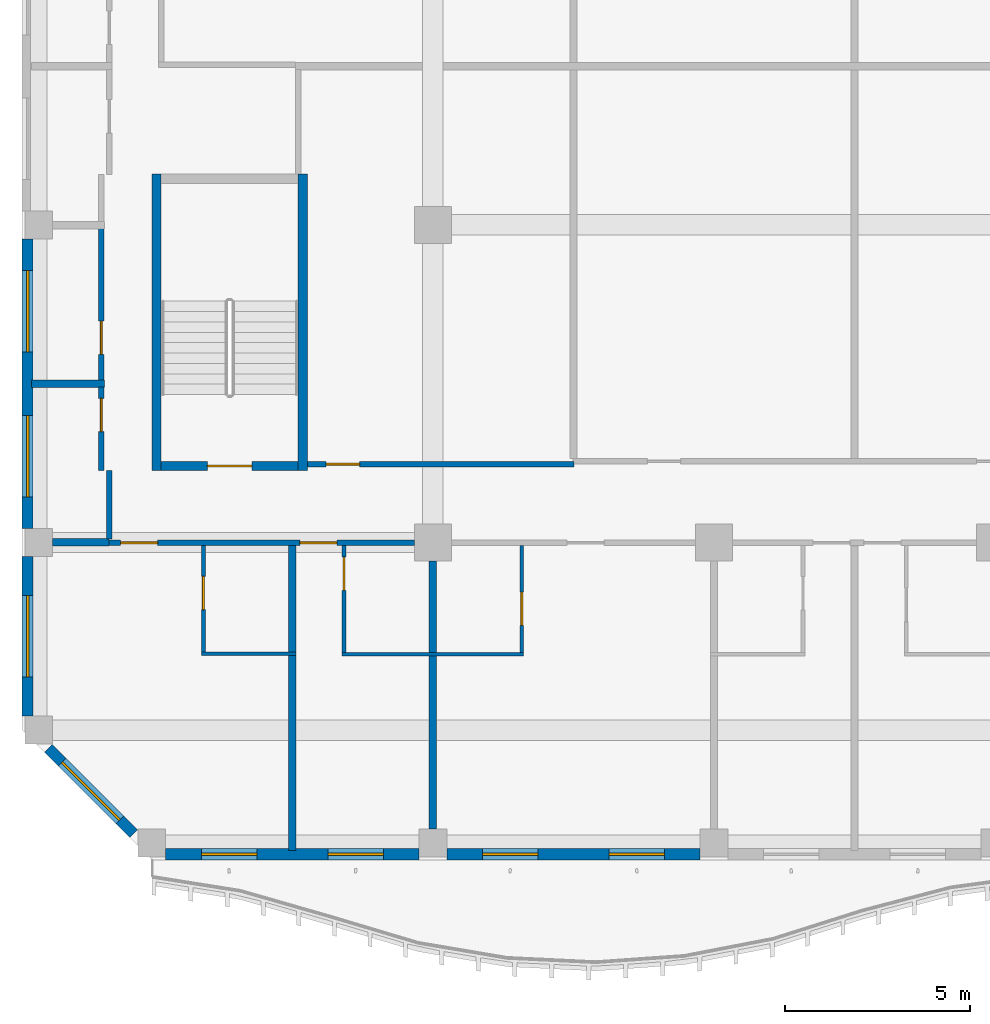
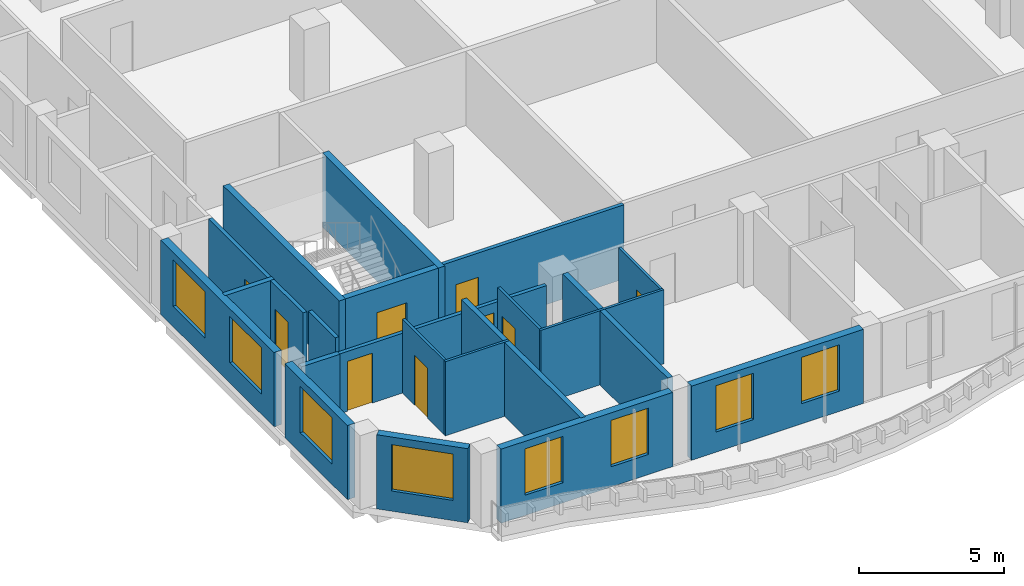
# One storey, part 2 of 21: 24 walls, 9 doors, 8 windows, 17 openings.
"""IFC4 building model written with IfcOpenShell, lengths in metres."""

import ifcopenshell
import ifcopenshell.guid

model = None  # the IFC model being written
_history = None  # IfcOwnerHistory: only IFC2X3 demands one
_inside = {}  # id of a spatial element -> (the spatial element, [elements in it])
_under = {}  # id of a project, library or spatial element -> (it, [spatial elements below it])
_declared = {}  # id of a project -> (the project, [libraries it declares])
_typed = {}  # id of a type object -> (the type object, [elements of that type])
_made_of = {}  # id of a material, layer set ... -> (it, [elements and type objects made of it])


def new_model(schema):
    """Start an empty IFC model of exactly this schema.

    Asked for "IFC4X3", IfcOpenShell would pick the latest addendum, in which some entities
    have other attributes; the version numbers below select the first issue.
    IFC2X3 requires an IfcOwnerHistory on every rooted entity: one is made here for all.
    """
    global model, _history
    if schema == "IFC4X3":
        model = ifcopenshell.file(schema_version=(4, 3, 0, 0))
    else:
        model = ifcopenshell.file(schema=schema)
    _inside.clear()
    _under.clear()
    _declared.clear()
    _typed.clear()
    _made_of.clear()
    _history = None
    if model.schema == "IFC2X3":
        org = make("IfcOrganization", Name="unknown")
        user = make(
            "IfcPersonAndOrganization",
            ThePerson=make("IfcPerson", FamilyName="unknown"),
            TheOrganization=org,
        )
        app = make(
            "IfcApplication",
            ApplicationDeveloper=org,
            Version="unknown",
            ApplicationFullName="unknown",
            ApplicationIdentifier="unknown",
        )
        _history = make(
            "IfcOwnerHistory",
            OwningUser=user,
            OwningApplication=app,
            ChangeAction="ADDED",
            CreationDate=0,
        )
    return model


def make(cls, **values):
    """One entity of the class cls with the attributes given. An attribute that is None is left unset."""
    return model.create_entity(
        cls, **{name: value for name, value in values.items() if value is not None}
    )


def rooted(cls, **values):
    """An entity with a GlobalId (a new one), such as an element, a storey or a relation."""
    return make(cls, GlobalId=ifcopenshell.guid.new(), OwnerHistory=_history, **values)


def si_unit(unit_type, name, prefix=None):
    """IfcSIUnit, for example si_unit("LENGTHUNIT", "METRE", prefix="MILLI")."""
    return make("IfcSIUnit", UnitType=unit_type, Prefix=prefix, Name=name)


def assignment(units):
    """IfcUnitAssignment: the units of a project."""
    return None if units is None else make("IfcUnitAssignment", Units=units)


def point(xyz):
    """IfcCartesianPoint."""
    return None if xyz is None else make("IfcCartesianPoint", Coordinates=xyz)


def direction(xyz):
    """IfcDirection."""
    return None if xyz is None else make("IfcDirection", DirectionRatios=xyz)


def frame(location, z_axis=None, x_axis=None):
    """IfcAxis2Placement3D, a coordinate frame: its origin and axes. An axis left out is left unset."""
    return make(
        "IfcAxis2Placement3D",
        Location=point(location),
        Axis=direction(z_axis),
        RefDirection=direction(x_axis),
    )


def frame_2d(location, x_axis=None):
    """IfcAxis2Placement2D, a coordinate frame in the plane: its origin and x axis."""
    return make(
        "IfcAxis2Placement2D", Location=point(location), RefDirection=direction(x_axis)
    )


def origin():
    """The frame at (0, 0, 0) with its axes left unset."""
    return frame((0.0, 0.0, 0.0))


def place(relative_to, where):
    """IfcLocalPlacement: puts the frame where relative to a parent placement (None: the world)."""
    return make(
        "IfcLocalPlacement", PlacementRelTo=relative_to, RelativePlacement=where
    )


def context(
    kind, dimensions, precision=None, world=None, true_north=None, identifier=None
):
    """IfcGeometricRepresentationContext, for example the 3D "Model" context."""
    return make(
        "IfcGeometricRepresentationContext",
        ContextIdentifier=identifier,
        ContextType=kind,
        CoordinateSpaceDimension=dimensions,
        Precision=precision,
        WorldCoordinateSystem=world,
        TrueNorth=true_north,
    )


def subcontext(parent, identifier, kind, view, scale=None):
    """IfcGeometricRepresentationSubContext, for example "Body" below "Model"."""
    return make(
        "IfcGeometricRepresentationSubContext",
        ContextIdentifier=identifier,
        ContextType=kind,
        ParentContext=parent,
        TargetScale=scale,
        TargetView=view,
    )


def project(units=None, contexts=None):
    """IfcProject with its units and contexts."""
    return rooted(
        "IfcProject",
        Name="project",
        RepresentationContexts=contexts,
        UnitsInContext=assignment(units),
    )


def spatial(cls, under=None, at=None, **own):
    """A site, building, storey or space (cls), placed at a placement, below another one or the project."""
    s = rooted(cls, ObjectPlacement=at, **own)
    if under is not None:
        _under.setdefault(under.id(), (under, []))[1].append(s)
    return s


def profile(cls, at=None, kind="AREA", **sizes):
    """A parametric profile (cls). Its sizes go by their IFC names, for example OverallWidth=200.0."""
    return make(cls, ProfileType=kind, Position=at, **sizes)


def rectangle(**sizes):
    """IfcRectangleProfileDef."""
    return profile("IfcRectangleProfileDef", **sizes)


def extrude(swept, where, along, depth):
    """IfcExtrudedAreaSolid: the profile swept, set in the frame where, extruded along a direction by depth."""
    return make(
        "IfcExtrudedAreaSolid",
        SweptArea=swept,
        Position=where,
        ExtrudedDirection=direction(along),
        Depth=depth,
    )


def shape(context_of_items, identifier, shape_type, items):
    """IfcShapeRepresentation: the items that make up one representation, for example the "Body"."""
    return make(
        "IfcShapeRepresentation",
        ContextOfItems=context_of_items,
        RepresentationIdentifier=identifier,
        RepresentationType=shape_type,
        Items=items,
    )


def source(mapping_origin, context_of_items, identifier, shape_type, items):
    """IfcRepresentationMap: a shape defined once, which mapped items show again and again."""
    return make(
        "IfcRepresentationMap",
        MappingOrigin=mapping_origin,
        MappedRepresentation=shape(context_of_items, identifier, shape_type, items),
    )


def transform(
    local_origin,
    x_axis=None,
    y_axis=None,
    z_axis=None,
    scale=None,
    scale2=None,
    scale3=None,
    uniform=True,
):
    """IfcCartesianTransformationOperator3D, or its non-uniform kind. x_axis, y_axis, z_axis: its Axis1, 2, 3."""
    if uniform:
        return make(
            "IfcCartesianTransformationOperator3D",
            Axis1=direction(x_axis),
            Axis2=direction(y_axis),
            LocalOrigin=point(local_origin),
            Scale=scale,
            Axis3=direction(z_axis),
        )
    return make(
        "IfcCartesianTransformationOperator3DnonUniform",
        Axis1=direction(x_axis),
        Axis2=direction(y_axis),
        LocalOrigin=point(local_origin),
        Scale=scale,
        Axis3=direction(z_axis),
        Scale2=scale2,
        Scale3=scale3,
    )


def mapped(mapping_source, mapping_target):
    """IfcMappedItem: shows the shape of a source again, moved by a transform."""
    return make(
        "IfcMappedItem", MappingSource=mapping_source, MappingTarget=mapping_target
    )


def material(Name=None, Category=None):
    """IfcMaterial."""
    return make("IfcMaterial", Name=Name, Category=Category)


def layer(
    of_material, thickness, ventilated=None, Name=None, Category=None, Priority=None
):
    """IfcMaterialLayer: one layer of a wall or slab, of a material (None: an air gap)."""
    return make(
        "IfcMaterialLayer",
        Material=of_material,
        LayerThickness=thickness,
        IsVentilated=ventilated,
        Name=Name,
        Category=Category,
        Priority=Priority,
    )


def layer_set(layers, Name=None):
    """IfcMaterialLayerSet."""
    return make("IfcMaterialLayerSet", MaterialLayers=layers, LayerSetName=Name)


def made_of(thing, what):
    """Note that an element or type object is made of a material, layer set ...; save() writes the relation."""
    if what is not None:
        _made_of.setdefault(what.id(), (what, []))[1].append(thing)
    return thing


def type_object(cls, material=None, **own):
    """A type object (cls), such as IfcWallType, which elements share."""
    return made_of(rooted(cls, **own), material)


def element(
    cls,
    number,
    at=None,
    inside=None,
    cuts=None,
    type_object=None,
    material=None,
    context=None,
    identifier="Body",
    shape_type=None,
    held_by="IfcProductDefinitionShape",
    body=None,
    shapes=None,
    **own,
):
    """One element of the class cls, such as IfcWall. Its Tag is "e" and its number.

    at: its placement. inside: the storey or other place that contains it. cuts: it is an
    opening in that element (IfcRelVoidsElement). A single representation is given by context,
    identifier, shape_type and body (its items); several are given by shapes. held_by: the class
    of the entity that holds the representations. save() writes the other relations.
    """
    e = rooted(cls, Tag="e%d" % number, ObjectPlacement=at, **own)
    if body is not None:
        shapes = [shape(context, identifier, shape_type, body)]
    if shapes is not None:
        e.Representation = make(held_by, Representations=shapes)
    if inside is not None:
        _inside.setdefault(inside.id(), (inside, []))[1].append(e)
    if cuts is not None:
        rooted(
            "IfcRelVoidsElement", RelatingBuildingElement=cuts, RelatedOpeningElement=e
        )
    if type_object is not None:
        _typed.setdefault(type_object.id(), (type_object, []))[1].append(e)
    return made_of(e, material)


def fill(opening, filler):
    """IfcRelFillsElement: the door or window that sits in an opening."""
    return rooted(
        "IfcRelFillsElement",
        RelatingOpeningElement=opening,
        RelatedBuildingElement=filler,
    )


def aggregate(whole, parts):
    """IfcRelAggregates: a whole, such as a stair, and the parts it consists of."""
    return rooted("IfcRelAggregates", RelatingObject=whole, RelatedObjects=parts)


def save(model, path):
    """Write the relations noted so far, then the file.

    IfcRelAggregates (storeys below a building ...), IfcRelContainedInSpatialStructure (elements
    in a storey), IfcRelDefinesByType, IfcRelAssociatesMaterial and IfcRelDeclares: one each for
    every whole, place, type object, material and project.
    """
    for whole, parts in _under.values():
        aggregate(whole, parts)
    for where, things in _inside.values():
        rooted(
            "IfcRelContainedInSpatialStructure",
            RelatedElements=things,
            RelatingStructure=where,
        )
    for kind, things in _typed.values():
        rooted("IfcRelDefinesByType", RelatedObjects=things, RelatingType=kind)
    for what, things in _made_of.values():
        rooted("IfcRelAssociatesMaterial", RelatedObjects=things, RelatingMaterial=what)
    for by, libraries in _declared.values():
        rooted("IfcRelDeclares", RelatingContext=by, RelatedDefinitions=libraries)
    model.write(path)


model = new_model("IFC4")

# Units and contexts
model_context = context("Model", 3, precision=1e-05, world=origin(), true_north=direction((0.0, 1.0)))
body_context = subcontext(model_context, "Body", "Model", "MODEL_VIEW")
ifc_project = project(units=[si_unit("LENGTHUNIT", "METRE"), si_unit("AREAUNIT", "SQUARE_METRE"), si_unit("VOLUMEUNIT", "CUBIC_METRE"), si_unit("PLANEANGLEUNIT", "RADIAN"), si_unit("MASSUNIT", "GRAM", prefix="KILO")], contexts=[model_context])

# Site, building, storey
site_placement = place(None, origin())
site = spatial("IfcSite", under=ifc_project, at=site_placement, CompositionType="ELEMENT")
building_placement = place(site_placement, origin())
building = spatial("IfcBuilding", under=site, at=building_placement, Name="Kilnfold Tower and Market Hall", CompositionType="ELEMENT")
storey_placement = place(building_placement, frame((0.0, 0.0, 210.10009765625)))
storey = spatial("IfcBuildingStorey", under=building, at=storey_placement, Name="L51", CompositionType="ELEMENT", Elevation=210.10009765625)

# Wall, openings, doors
ifc_material_1 = material(Name="Gypsum board on steel studs", Category="steel")
ifc_layer_1 = layer(ifc_material_1, 0.14990234375)
ifc_layer_set_1 = layer_set([ifc_layer_1], Name="Gypsum board on steel studs")
wall_type_1 = type_object("IfcWallType", Name="WALL CORRIDOR 150", PredefinedType="PARTITIONING", material=ifc_layer_set_1)
wall_1_placement = place(storey_placement, frame((-18.89990234375, -17.699951171875, 0.0), z_axis=(0.0, 0.0, 1.0), x_axis=(1.0, 0.0, 0.0)))
wall_1 = element("IfcWall", 1, at=wall_1_placement, inside=storey, type_object=wall_type_1, Name="Partition LY31.1", PredefinedType="PARTITIONING", context=body_context, shape_type="SweptSolid", body=[
    extrude(rectangle(XDim=8.23291015625, YDim=0.14990234375, at=frame_2d((4.116455078125, 0.0))), origin(), (0.0, 0.0, 1.0), 2.52001953125),
])
opening_1_placement = place(wall_1_placement, frame((0.304931640625, 0.0, 0.0)))
opening_1 = element("IfcOpeningElement", 2, at=opening_1_placement, cuts=wall_1, Name="Opening D1", PredefinedType="OPENING", context=body_context, shape_type="SweptSolid", body=[
    extrude(rectangle(XDim=1.0, YDim=2.10009765625, at=frame_2d((0.5, 1.050048828125))), frame((0.0, 0.0849609375, 0.0), z_axis=(0.0, -1.0, 0.0), x_axis=(1.0, 0.0, 0.0)), (0.0, 0.0, 1.0), 0.169921875),
])
opening_2_placement = place(wall_1_placement, frame((5.14306640625, 0.0, 0.0)))
opening_2 = element("IfcOpeningElement", 3, at=opening_2_placement, cuts=wall_1, Name="Opening D1", PredefinedType="OPENING", context=body_context, shape_type="SweptSolid", body=[
    extrude(rectangle(XDim=1.0, YDim=2.10009765625, at=frame_2d((0.5, 1.050048828125))), frame((0.0, 0.0849609375, 0.0), z_axis=(0.0, -1.0, 0.0), x_axis=(1.0, 0.0, 0.0)), (0.0, 0.0, 1.0), 0.169921875),
])
ifc_material_2 = material(Name="Timber veneer door leaf in steel frame", Category="steel")
door_type_1 = type_object("IfcDoorType", Name="DOOR ENTRY 1000 X2100", OperationType="NOTDEFINED", PredefinedType="DOOR", material=ifc_material_2)
door_1_placement = place(opening_1_placement, origin())
door_1 = element("IfcDoor", 4, at=door_1_placement, inside=storey, type_object=door_type_1, Name="Door D1", OperationType="SINGLE_SWING_RIGHT", OverallHeight=2.10009765625, OverallWidth=1.0, PredefinedType="DOOR", context=body_context, shape_type="SweptSolid", body=[
    extrude(rectangle(XDim=1.0, YDim=2.10009765625, at=frame_2d((0.5, 1.050048828125))), frame((0.0, 0.02490234375, 0.0), z_axis=(0.0, -1.0, 0.0), x_axis=(1.0, 0.0, 0.0)), (0.0, 0.0, 1.0), 0.050048828125),
])
fill(opening_1, door_1)
door_2_placement = place(opening_2_placement, origin())
door_2 = element("IfcDoor", 5, at=door_2_placement, inside=storey, type_object=door_type_1, Name="Door D1", OperationType="SINGLE_SWING_RIGHT", OverallHeight=2.10009765625, OverallWidth=1.0, PredefinedType="DOOR", context=body_context, shape_type="SweptSolid", body=[
    extrude(rectangle(XDim=1.0, YDim=2.10009765625, at=frame_2d((0.5, 1.050048828125))), frame((0.0, 0.02490234375, 0.0), z_axis=(0.0, -1.0, 0.0), x_axis=(1.0, 0.0, 0.0)), (0.0, 0.0, 1.0), 0.050048828125),
])
fill(opening_2, door_2)

# Wall
wall_2_placement = place(storey_placement, frame((-18.89990234375, -17.597900390625, 0.0), z_axis=(0.0, 0.0, 1.0), x_axis=(0.0, 1.0, 0.0)))
element("IfcWall", 6, at=wall_2_placement, inside=storey, type_object=wall_type_1, Name="Partition LY31.9", PredefinedType="PARTITIONING", context=body_context, shape_type="SweptSolid", body=[
    extrude(rectangle(XDim=1.85498046875, YDim=0.14990234375, at=frame_2d((0.927490234375, 0.0))), origin(), (0.0, 0.0, 1.0), 3.119873046875),
])

# Wall, opening, door
wall_3_placement = place(storey_placement, frame((-19.113037109375, -15.742919921875, 0.0), z_axis=(0.0, 0.0, 1.0), x_axis=(0.0, 1.0, 0.0)))
wall_3 = element("IfcWall", 7, at=wall_3_placement, inside=storey, type_object=wall_type_1, Name="Partition LY31.10", PredefinedType="PARTITIONING", context=body_context, shape_type="SweptSolid", body=[
    extrude(rectangle(XDim=2.246826171875, YDim=0.14990234375, at=frame_2d((1.12353515625, 0.0))), origin(), (0.0, 0.0, 1.0), 3.119873046875),
])
opening_3_placement = place(wall_3_placement, frame((1.0419921875, 0.0, 0.0)))
opening_3 = element("IfcOpeningElement", 8, at=opening_3_placement, cuts=wall_3, Name="Opening D2", PredefinedType="OPENING", context=body_context, shape_type="SweptSolid", body=[
    extrude(rectangle(XDim=0.89990234375, YDim=2.10009765625, at=frame_2d((0.449951171875, 1.050048828125))), frame((0.0, 0.0849609375, 0.0), z_axis=(0.0, -1.0, 0.0), x_axis=(1.0, 0.0, 0.0)), (0.0, 0.0, 1.0), 0.169921875),
])
ifc_material_3 = material(Name="Timber veneer door leaf in steel frame", Category="steel")
door_type_2 = type_object("IfcDoorType", Name="DOOR ROOM 900 X2100", OperationType="NOTDEFINED", PredefinedType="DOOR", material=ifc_material_3)
door_3_placement = place(opening_3_placement, origin())
door_3 = element("IfcDoor", 9, at=door_3_placement, inside=storey, type_object=door_type_2, Name="Door D2", OperationType="SINGLE_SWING_RIGHT", OverallHeight=2.10009765625, OverallWidth=0.89990234375, PredefinedType="DOOR", context=body_context, shape_type="SweptSolid", body=[
    extrude(rectangle(XDim=0.89990234375, YDim=2.10009765625, at=frame_2d((0.449951171875, 1.050048828125))), frame((0.0, 0.02490234375, 0.0), z_axis=(0.0, -1.0, 0.0), x_axis=(1.0, 0.0, 0.0)), (0.0, 0.0, 1.0), 0.050048828125),
])
fill(opening_3, door_3)

wall_4_placement = place(storey_placement, frame((-19.113037109375, -13.31591796875, 0.0), z_axis=(0.0, 0.0, 1.0), x_axis=(0.0, 1.0, 0.0)))
wall_4 = element("IfcWall", 10, at=wall_4_placement, inside=storey, type_object=wall_type_1, Name="Partition LY31.11", PredefinedType="PARTITIONING", context=body_context, shape_type="SweptSolid", body=[
    extrude(rectangle(XDim=4.100830078125, YDim=0.14990234375, at=frame_2d((2.05029296875, 0.0))), origin(), (0.0, 0.0, 1.0), 3.119873046875),
])
opening_4_placement = place(wall_4_placement, frame((0.699951171875, 0.0, 0.0)))
opening_4 = element("IfcOpeningElement", 11, at=opening_4_placement, cuts=wall_4, Name="Opening D2", PredefinedType="OPENING", context=body_context, shape_type="SweptSolid", body=[
    extrude(rectangle(XDim=0.89990234375, YDim=2.10009765625, at=frame_2d((0.449951171875, 1.050048828125))), frame((0.0, 0.0849609375, 0.0), z_axis=(0.0, -1.0, 0.0), x_axis=(1.0, 0.0, 0.0)), (0.0, 0.0, 1.0), 0.169921875),
])
door_4_placement = place(opening_4_placement, origin())
door_4 = element("IfcDoor", 12, at=door_4_placement, inside=storey, type_object=door_type_2, Name="Door D2", OperationType="SINGLE_SWING_RIGHT", OverallHeight=2.10009765625, OverallWidth=0.89990234375, PredefinedType="DOOR", context=body_context, shape_type="SweptSolid", body=[
    extrude(rectangle(XDim=0.89990234375, YDim=2.10009765625, at=frame_2d((0.449951171875, 1.050048828125))), frame((0.0, 0.02490234375, 0.0), z_axis=(0.0, -1.0, 0.0), x_axis=(1.0, 0.0, 0.0)), (0.0, 0.0, 1.0), 0.050048828125),
])
fill(opening_4, door_4)

wall_5_placement = place(storey_placement, frame((-6.364990234375, -15.574951171875, 0.0), z_axis=(0.0, 0.0, 1.0), x_axis=(-1.0, 0.0, 0.0)))
wall_5 = element("IfcWall", 13, at=wall_5_placement, inside=storey, type_object=wall_type_1, Name="Partition LY31.39", PredefinedType="PARTITIONING", context=body_context, shape_type="SweptSolid", body=[
    extrude(rectangle(XDim=7.18505859375, YDim=0.14990234375, at=frame_2d((3.592529296875, 0.0))), origin(), (0.0, 0.0, 1.0), 3.119873046875),
])
opening_5_placement = place(wall_5_placement, frame((5.781005859375, 0.0, 0.0)))
opening_5 = element("IfcOpeningElement", 14, at=opening_5_placement, cuts=wall_5, Name="Opening D2", PredefinedType="OPENING", context=body_context, shape_type="SweptSolid", body=[
    extrude(rectangle(XDim=0.89990234375, YDim=2.10009765625, at=frame_2d((0.449951171875, 1.050048828125))), frame((0.0, 0.0849609375, 0.0), z_axis=(0.0, -1.0, 0.0), x_axis=(1.0, 0.0, 0.0)), (0.0, 0.0, 1.0), 0.169921875),
])
door_5_placement = place(opening_5_placement, origin())
door_5 = element("IfcDoor", 15, at=door_5_placement, inside=storey, type_object=door_type_2, Name="Door D2", OperationType="SINGLE_SWING_RIGHT", OverallHeight=2.10009765625, OverallWidth=0.89990234375, PredefinedType="DOOR", context=body_context, shape_type="SweptSolid", body=[
    extrude(rectangle(XDim=0.89990234375, YDim=2.10009765625, at=frame_2d((0.449951171875, 1.050048828125))), frame((0.0, 0.02490234375, 0.0), z_axis=(0.0, -1.0, 0.0), x_axis=(1.0, 0.0, 0.0)), (0.0, 0.0, 1.0), 0.050048828125),
])
fill(opening_5, door_5)

ifc_material_4 = material(Name="Gypsum board on steel studs", Category="steel")
ifc_layer_2 = layer(ifc_material_4, 0.10009765625)
ifc_layer_set_2 = layer_set([ifc_layer_2], Name="Gypsum board on steel studs")
wall_type_2 = type_object("IfcWallType", Name="WALL PARTITION 100", PredefinedType="PARTITIONING", material=ifc_layer_set_2)
wall_6_placement = place(storey_placement, frame((-16.35888671875, -20.637939453125, 0.0), z_axis=(0.0, 0.0, 1.0), x_axis=(0.0, 1.0, 0.0)))
wall_6 = element("IfcWall", 16, at=wall_6_placement, inside=storey, type_object=wall_type_2, Name="Partition LY31.42", PredefinedType="PARTITIONING", context=body_context, shape_type="SweptSolid", body=[
    extrude(rectangle(XDim=2.86083984375, YDim=0.10009765625, at=frame_2d((1.430419921875, 0.0))), origin(), (0.0, 0.0, 1.0), 3.119873046875),
])
opening_6_placement = place(wall_6_placement, frame((1.136962890625, 0.0, 0.0)))
opening_6 = element("IfcOpeningElement", 17, at=opening_6_placement, cuts=wall_6, Name="Opening D3", PredefinedType="OPENING", context=body_context, shape_type="SweptSolid", body=[
    extrude(rectangle(XDim=0.89990234375, YDim=2.10009765625, at=frame_2d((0.449951171875, 1.050048828125))), frame((0.0, 0.06005859375, 0.0), z_axis=(0.0, -1.0, 0.0), x_axis=(1.0, 0.0, 0.0)), (0.0, 0.0, 1.0), 0.1201171875),
])
ifc_material_5 = material(Name="Timber veneer door leaf in steel frame", Category="steel")
door_type_3 = type_object("IfcDoorType", Name="DOOR WC 900 X2100", OperationType="NOTDEFINED", PredefinedType="DOOR", material=ifc_material_5)
door_6_placement = place(opening_6_placement, origin())
door_6 = element("IfcDoor", 18, at=door_6_placement, inside=storey, type_object=door_type_3, Name="Door D3", OperationType="SINGLE_SWING_RIGHT", OverallHeight=2.10009765625, OverallWidth=0.89990234375, PredefinedType="DOOR", context=body_context, shape_type="SweptSolid", body=[
    extrude(rectangle(XDim=0.89990234375, YDim=2.10009765625, at=frame_2d((0.449951171875, 1.050048828125))), frame((0.0, 0.02490234375, 0.0), z_axis=(0.0, -1.0, 0.0), x_axis=(1.0, 0.0, 0.0)), (0.0, 0.0, 1.0), 0.050048828125),
])
fill(opening_6, door_6)

# Wall
wall_7_placement = place(storey_placement, frame((-16.408935546875, -20.68798828125, 0.0), z_axis=(0.0, 0.0, 1.0), x_axis=(1.0, 0.0, 0.0)))
element("IfcWall", 19, at=wall_7_placement, inside=storey, type_object=wall_type_2, Name="Partition LY31.43", PredefinedType="PARTITIONING", context=body_context, shape_type="SweptSolid", body=[
    extrude(rectangle(XDim=2.550048828125, YDim=0.10009765625, at=frame_2d((1.27490234375, 0.0))), origin(), (0.0, 0.0, 1.0), 3.119873046875),
])

# Wall, opening, door
wall_8_placement = place(storey_placement, frame((-12.56689453125, -20.652099609375, 0.0), z_axis=(0.0, 0.0, 1.0), x_axis=(0.0, 1.0, 0.0)))
wall_8 = element("IfcWall", 20, at=wall_8_placement, inside=storey, type_object=wall_type_2, Name="Partition LY31.47", PredefinedType="PARTITIONING", context=body_context, shape_type="SweptSolid", body=[
    extrude(rectangle(XDim=2.875, YDim=0.10009765625, at=frame_2d((1.4375, 0.0))), origin(), (0.0, 0.0, 1.0), 3.119873046875),
])
opening_7_placement = place(wall_8_placement, frame((1.669921875, 0.0, 0.0)))
opening_7 = element("IfcOpeningElement", 21, at=opening_7_placement, cuts=wall_8, Name="Opening D3", PredefinedType="OPENING", context=body_context, shape_type="SweptSolid", body=[
    extrude(rectangle(XDim=0.89990234375, YDim=2.10009765625, at=frame_2d((0.449951171875, 1.050048828125))), frame((0.0, 0.06005859375, 0.0), z_axis=(0.0, -1.0, 0.0), x_axis=(1.0, 0.0, 0.0)), (0.0, 0.0, 1.0), 0.1201171875),
])
door_7_placement = place(opening_7_placement, origin())
door_7 = element("IfcDoor", 22, at=door_7_placement, inside=storey, type_object=door_type_3, Name="Door D3", OperationType="SINGLE_SWING_LEFT", OverallHeight=2.10009765625, OverallWidth=0.89990234375, PredefinedType="DOOR", context=body_context, shape_type="SweptSolid", body=[
    extrude(rectangle(XDim=0.89990234375, YDim=2.10009765625, at=frame_2d((0.449951171875, 1.050048828125))), frame((0.0, 0.02490234375, 0.0), z_axis=(0.0, -1.0, 0.0), x_axis=(1.0, 0.0, 0.0)), (0.0, 0.0, 1.0), 0.050048828125),
])
fill(opening_7, door_7)

# Wall
wall_9_placement = place(storey_placement, frame((-12.616943359375, -20.701904296875, 0.0), z_axis=(0.0, 0.0, 1.0), x_axis=(1.0, 0.0, 0.0)))
element("IfcWall", 23, at=wall_9_placement, inside=storey, type_object=wall_type_2, Name="Partition LY31.48", PredefinedType="PARTITIONING", context=body_context, shape_type="SweptSolid", body=[
    extrude(rectangle(XDim=4.89990234375, YDim=0.10009765625, at=frame_2d((2.449951171875, 0.0))), origin(), (0.0, 0.0, 1.0), 3.119873046875),
])

# Wall, opening, door
wall_10_placement = place(storey_placement, frame((-7.76708984375, -17.777099609375, 0.0), z_axis=(0.0, 0.0, 1.0), x_axis=(0.0, -1.0, 0.0)))
wall_10 = element("IfcWall", 24, at=wall_10_placement, inside=storey, type_object=wall_type_2, Name="Partition LY31.51", PredefinedType="PARTITIONING", context=body_context, shape_type="SweptSolid", body=[
    extrude(rectangle(XDim=2.875, YDim=0.10009765625, at=frame_2d((1.4375, 0.0))), origin(), (0.0, 0.0, 1.0), 3.119873046875),
])
opening_8_placement = place(wall_10_placement, frame((1.25, 0.0, 0.0)))
opening_8 = element("IfcOpeningElement", 25, at=opening_8_placement, cuts=wall_10, Name="Opening D3", PredefinedType="OPENING", context=body_context, shape_type="SweptSolid", body=[
    extrude(rectangle(XDim=0.89990234375, YDim=2.10009765625, at=frame_2d((0.449951171875, 1.050048828125))), frame((0.0, 0.06005859375, 0.0), z_axis=(0.0, -1.0, 0.0), x_axis=(1.0, 0.0, 0.0)), (0.0, 0.0, 1.0), 0.1201171875),
])
door_8_placement = place(opening_8_placement, origin())
door_8 = element("IfcDoor", 26, at=door_8_placement, inside=storey, type_object=door_type_3, Name="Door D3", OperationType="SINGLE_SWING_LEFT", OverallHeight=2.10009765625, OverallWidth=0.89990234375, PredefinedType="DOOR", context=body_context, shape_type="SweptSolid", body=[
    extrude(rectangle(XDim=0.89990234375, YDim=2.10009765625, at=frame_2d((0.449951171875, 1.050048828125))), frame((0.0, 0.02490234375, 0.0), z_axis=(0.0, -1.0, 0.0), x_axis=(1.0, 0.0, 0.0)), (0.0, 0.0, 1.0), 0.050048828125),
])
fill(opening_8, door_8)

# Walls
ifc_material_6 = material(Name="Gypsum board on steel studs", Category="steel")
ifc_layer_3 = layer(ifc_material_6, 0.199951171875)
ifc_layer_set_3 = layer_set([ifc_layer_3], Name="Gypsum board on steel studs")
wall_type_3 = type_object("IfcWallType", Name="WALL PARTY 200", PredefinedType="PARTITIONING", material=ifc_layer_set_3)
wall_11_placement = place(storey_placement, frame((-13.958984375, -26.0, 0.0), z_axis=(0.0, 0.0, 1.0), x_axis=(0.0, 1.0, 0.0)))
element("IfcWall", 27, at=wall_11_placement, inside=storey, type_object=wall_type_3, Name="Partition LY31.44", PredefinedType="PARTITIONING", context=body_context, shape_type="SweptSolid", body=[
    extrude(rectangle(XDim=5.261962890625, YDim=0.199951171875, at=frame_2d((2.630859375, 0.0))), origin(), (0.0, 0.0, 1.0), 3.119873046875),
])
wall_12_placement = place(storey_placement, frame((-20.425048828125, -17.68798828125, 0.0), z_axis=(0.0, 0.0, 1.0), x_axis=(1.0, 0.0, 0.0)))
element("IfcWall", 28, at=wall_12_placement, inside=storey, type_object=wall_type_3, Name="Partition LY31.45", PredefinedType="PARTITIONING", context=body_context, shape_type="SweptSolid", body=[
    extrude(rectangle(XDim=1.52294921875, YDim=0.199951171875, at=frame_2d((0.761474609375, 0.0))), origin(), (0.0, 0.0, 1.0), 2.52001953125),
])
wall_13_placement = place(storey_placement, frame((-13.958984375, -20.637939453125, 0.0), z_axis=(0.0, 0.0, 1.0), x_axis=(0.0, 1.0, 0.0)))
element("IfcWall", 29, at=wall_13_placement, inside=storey, type_object=wall_type_3, Name="Partition LY31.46", PredefinedType="PARTITIONING", context=body_context, shape_type="SweptSolid", body=[
    extrude(rectangle(XDim=2.86083984375, YDim=0.199951171875, at=frame_2d((1.430419921875, 0.0))), origin(), (0.0, 0.0, 1.0), 3.119873046875),
])
wall_14_placement = place(storey_placement, frame((-10.1669921875, -25.425048828125, 0.0), z_axis=(0.0, 0.0, 1.0), x_axis=(0.0, 1.0, 0.0)))
element("IfcWall", 30, at=wall_14_placement, inside=storey, type_object=wall_type_3, Name="Partition LY31.49", PredefinedType="PARTITIONING", context=body_context, shape_type="SweptSolid", body=[
    extrude(rectangle(XDim=4.673095703125, YDim=0.199951171875, at=frame_2d((2.33642578125, 0.0))), origin(), (0.0, 0.0, 1.0), 3.119873046875),
])
wall_15_placement = place(storey_placement, frame((-10.1669921875, -20.652099609375, 0.0), z_axis=(0.0, 0.0, 1.0), x_axis=(0.0, 1.0, 0.0)))
element("IfcWall", 31, at=wall_15_placement, inside=storey, type_object=wall_type_3, Name="Partition LY31.50", PredefinedType="PARTITIONING", context=body_context, shape_type="SweptSolid", body=[
    extrude(rectangle(XDim=2.464111328125, YDim=0.199951171875, at=frame_2d((1.23193359375, 0.0))), origin(), (0.0, 0.0, 1.0), 3.119873046875),
])
wall_16_placement = place(storey_placement, frame((-19.027099609375, -13.406005859375, 0.0), z_axis=(0.0, 0.0, 1.0), x_axis=(-1.0, 0.0, 0.0)))
element("IfcWall", 32, at=wall_16_placement, inside=storey, type_object=wall_type_3, Name="Partition LY31.79", PredefinedType="PARTITIONING", context=body_context, shape_type="SweptSolid", body=[
    extrude(rectangle(XDim=1.972900390625, YDim=0.199951171875, at=frame_2d((0.986328125, 0.0))), origin(), (0.0, 0.0, 1.0), 3.119873046875),
])

# Wall, opening, door
ifc_material_7 = material(Name="Concrete C60", Category="concrete")
ifc_layer_4 = layer(ifc_material_7, 0.25)
ifc_layer_set_4 = layer_set([ifc_layer_4], Name="Concrete C60")
wall_type_4 = type_object("IfcWallType", Name="CORE WALL 250 C60", PredefinedType="SHEAR", material=ifc_layer_set_4)
shared_shape_1 = source(origin(), body_context, "Body", "SweptSolid", [
    extrude(rectangle(XDim=3.699951171875, YDim=0.25, at=frame_2d((1.85009765625, 0.0))), origin(), (0.0, 0.0, 1.0), 3.119873046875),
])
wall_17_placement = place(storey_placement, frame((-17.5, -15.625, 0.0), z_axis=(0.0, 0.0, 1.0), x_axis=(1.0, 0.0, 0.0)))
wall_17 = element("IfcWall", 33, at=wall_17_placement, inside=storey, type_object=wall_type_4, Name="Stair enclosure ST3", PredefinedType="SHEAR", context=body_context, shape_type="MappedRepresentation", body=[
    mapped(shared_shape_1, transform((0.0, 0.0, 0.0))),
])
opening_9_placement = place(wall_17_placement, frame((1.25, 0.0, 0.0)))
opening_9 = element("IfcOpeningElement", 34, at=opening_9_placement, cuts=wall_17, Name="Opening SD1", PredefinedType="OPENING", context=body_context, shape_type="SweptSolid", body=[
    extrude(rectangle(XDim=1.199951171875, YDim=2.10009765625, at=frame_2d((0.60009765625, 1.050048828125))), frame((0.0, 0.135009765625, 0.0), z_axis=(0.0, -1.0, 0.0), x_axis=(1.0, 0.0, 0.0)), (0.0, 0.0, 1.0), 0.27001953125),
])
ifc_material_8 = material(Name="Steel door set with fire-resisting leaf", Category="steel")
door_type_4 = type_object("IfcDoorType", Name="STAIR FLOOR DOOR 1200X2100", OperationType="NOTDEFINED", PredefinedType="DOOR", material=ifc_material_8)
door_9_placement = place(opening_9_placement, origin())
door_9 = element("IfcDoor", 35, at=door_9_placement, inside=storey, type_object=door_type_4, Name="Exit stair ST3 door", OperationType="DOUBLE_DOOR_SINGLE_SWING", OverallHeight=2.10009765625, OverallWidth=1.199951171875, PredefinedType="DOOR", context=body_context, shape_type="SweptSolid", body=[
    extrude(rectangle(XDim=1.199951171875, YDim=2.10009765625, at=frame_2d((0.60009765625, 1.050048828125))), frame((0.0, 0.02490234375, 0.0), z_axis=(0.0, -1.0, 0.0), x_axis=(1.0, 0.0, 0.0)), (0.0, 0.0, 1.0), 0.050048828125),
])
fill(opening_9, door_9)

# Walls
shared_shape_2 = source(origin(), body_context, "Body", "SweptSolid", [
    extrude(rectangle(XDim=8.0, YDim=0.25, at=frame_2d((4.0, 0.0))), origin(), (0.0, 0.0, 1.0), 3.119873046875),
])
for number, where, z_axis, x_axis, name in (
    (36, (-17.625, -15.75, 0.0), (0.0, 0.0, 1.0), (0.0, 1.0, 0.0), "Stair enclosure ST3"),
    (37, (-13.675048828125, -15.75, 0.0), (0.0, 0.0, 1.0), (0.0, 1.0, 0.0), "Stair enclosure ST3"),
):
    element("IfcWall", number, at=place(storey_placement, frame(where, z_axis=z_axis, x_axis=x_axis)), inside=storey, type_object=wall_type_4, Name=name, PredefinedType="SHEAR", context=body_context, shape_type="MappedRepresentation", body=[
        mapped(shared_shape_2, transform((0.0, 0.0, 0.0))),
    ])

# Wall, openings, windows
ifc_material_9 = material(Name="Precast concrete C50/60", Category="concrete")
ifc_layer_5 = layer(ifc_material_9, 0.300048828125)
ifc_layer_set_5 = layer_set([ifc_layer_5], Name="Precast concrete C50/60")
wall_type_5 = type_object("IfcWallType", Name="PRECAST WALL 300", PredefinedType="SOLIDWALL", material=ifc_layer_set_5)
shared_shape_3 = source(origin(), body_context, "Body", "SweptSolid", [
    extrude(rectangle(XDim=6.833251953125, YDim=0.300048828125, at=frame_2d((3.41650390625, 0.0))), origin(), (0.0, 0.0, 1.0), 3.119873046875),
])
wall_18_placement = place(storey_placement, frame((-17.375, -26.10009765625, 0.0), z_axis=(0.0, 0.0, 1.0), x_axis=(1.0, 0.0, 0.0)))
wall_18 = element("IfcWall", 38, at=wall_18_placement, inside=storey, type_object=wall_type_5, Name="External wall L51 S", PredefinedType="SOLIDWALL", context=body_context, shape_type="MappedRepresentation", body=[
    mapped(shared_shape_3, transform((0.0, 0.0, 0.0))),
])
opening_10_placement = place(wall_18_placement, frame((0.95849609375, 0.0, 0.85009765625)))
opening_10 = element("IfcOpeningElement", 39, at=opening_10_placement, cuts=wall_18, Name="Opening W4", PredefinedType="OPENING", context=body_context, shape_type="SweptSolid", body=[
    extrude(rectangle(XDim=1.5, YDim=1.949951171875, at=frame_2d((0.75, 0.97509765625))), frame((0.0, 0.16015625, 0.0), z_axis=(0.0, -1.0, 0.0), x_axis=(1.0, 0.0, 0.0)), (0.0, 0.0, 1.0), 0.320068359375),
])
opening_11_placement = place(wall_18_placement, frame((4.375, 0.0, 0.85009765625)))
opening_11 = element("IfcOpeningElement", 40, at=opening_11_placement, cuts=wall_18, Name="Opening W4", PredefinedType="OPENING", context=body_context, shape_type="SweptSolid", body=[
    extrude(rectangle(XDim=1.5, YDim=1.949951171875, at=frame_2d((0.75, 0.97509765625))), frame((0.0, 0.16015625, 0.0), z_axis=(0.0, -1.0, 0.0), x_axis=(1.0, 0.0, 0.0)), (0.0, 0.0, 1.0), 0.320068359375),
])
ifc_material_10 = material(Name="Aluminium frame and double glazing", Category="aluminium")
window_type_1 = type_object("IfcWindowType", Name="WINDOW W4 1500X1950", PartitioningType="SINGLE_PANEL", PredefinedType="WINDOW", material=ifc_material_10)
window_1_placement = place(opening_10_placement, origin())
window_1 = element("IfcWindow", 41, at=window_1_placement, inside=storey, type_object=window_type_1, Name="Window W4 L51 S-1", OverallHeight=1.949951171875, OverallWidth=1.5, PartitioningType="SINGLE_PANEL", PredefinedType="WINDOW", context=body_context, shape_type="SweptSolid", body=[
    extrude(rectangle(XDim=1.5, YDim=1.949951171875, at=frame_2d((0.75, 0.97509765625))), frame((0.0, 0.030029296875, 0.0), z_axis=(0.0, -1.0, 0.0), x_axis=(1.0, 0.0, 0.0)), (0.0, 0.0, 1.0), 0.06005859375),
])
fill(opening_10, window_1)
window_2_placement = place(opening_11_placement, origin())
window_2 = element("IfcWindow", 42, at=window_2_placement, inside=storey, type_object=window_type_1, Name="Window W4 L51 S-2", OverallHeight=1.949951171875, OverallWidth=1.5, PartitioningType="SINGLE_PANEL", PredefinedType="WINDOW", context=body_context, shape_type="SweptSolid", body=[
    extrude(rectangle(XDim=1.5, YDim=1.949951171875, at=frame_2d((0.75, 0.97509765625))), frame((0.0, 0.030029296875, 0.0), z_axis=(0.0, -1.0, 0.0), x_axis=(1.0, 0.0, 0.0)), (0.0, 0.0, 1.0), 0.06005859375),
])
fill(opening_11, window_2)

shared_shape_4 = source(origin(), body_context, "Body", "SweptSolid", [
    extrude(rectangle(XDim=6.83349609375, YDim=0.300048828125, at=frame_2d((3.416748046875, 0.0))), origin(), (0.0, 0.0, 1.0), 3.119873046875),
])
wall_19_placement = place(storey_placement, frame((-9.791748046875, -26.10009765625, 0.0), z_axis=(0.0, 0.0, 1.0), x_axis=(1.0, 0.0, 0.0)))
wall_19 = element("IfcWall", 43, at=wall_19_placement, inside=storey, type_object=wall_type_5, Name="External wall L51 S", PredefinedType="SOLIDWALL", context=body_context, shape_type="MappedRepresentation", body=[
    mapped(shared_shape_4, transform((0.0, 0.0, 0.0))),
])
opening_12_placement = place(wall_19_placement, frame((0.958251953125, 0.0, 0.85009765625)))
opening_12 = element("IfcOpeningElement", 44, at=opening_12_placement, cuts=wall_19, Name="Opening W4", PredefinedType="OPENING", context=body_context, shape_type="SweptSolid", body=[
    extrude(rectangle(XDim=1.5, YDim=1.949951171875, at=frame_2d((0.75, 0.97509765625))), frame((0.0, 0.16015625, 0.0), z_axis=(0.0, -1.0, 0.0), x_axis=(1.0, 0.0, 0.0)), (0.0, 0.0, 1.0), 0.320068359375),
])
opening_13_placement = place(wall_19_placement, frame((4.375, 0.0, 0.85009765625)))
opening_13 = element("IfcOpeningElement", 45, at=opening_13_placement, cuts=wall_19, Name="Opening W4", PredefinedType="OPENING", context=body_context, shape_type="SweptSolid", body=[
    extrude(rectangle(XDim=1.5, YDim=1.949951171875, at=frame_2d((0.75, 0.97509765625))), frame((0.0, 0.16015625, 0.0), z_axis=(0.0, -1.0, 0.0), x_axis=(1.0, 0.0, 0.0)), (0.0, 0.0, 1.0), 0.320068359375),
])
window_3_placement = place(opening_12_placement, origin())
window_3 = element("IfcWindow", 46, at=window_3_placement, inside=storey, type_object=window_type_1, Name="Window W4 L51 S-1", OverallHeight=1.949951171875, OverallWidth=1.5, PartitioningType="SINGLE_PANEL", PredefinedType="WINDOW", context=body_context, shape_type="SweptSolid", body=[
    extrude(rectangle(XDim=1.5, YDim=1.949951171875, at=frame_2d((0.75, 0.97509765625))), frame((0.0, 0.030029296875, 0.0), z_axis=(0.0, -1.0, 0.0), x_axis=(1.0, 0.0, 0.0)), (0.0, 0.0, 1.0), 0.06005859375),
])
fill(opening_12, window_3)
window_4_placement = place(opening_13_placement, origin())
window_4 = element("IfcWindow", 47, at=window_4_placement, inside=storey, type_object=window_type_1, Name="Window W4 L51 S-2", OverallHeight=1.949951171875, OverallWidth=1.5, PartitioningType="SINGLE_PANEL", PredefinedType="WINDOW", context=body_context, shape_type="SweptSolid", body=[
    extrude(rectangle(XDim=1.5, YDim=1.949951171875, at=frame_2d((0.75, 0.97509765625))), frame((0.0, 0.030029296875, 0.0), z_axis=(0.0, -1.0, 0.0), x_axis=(1.0, 0.0, 0.0)), (0.0, 0.0, 1.0), 0.06005859375),
])
fill(opening_13, window_4)

shared_shape_5 = source(origin(), body_context, "Body", "SweptSolid", [
    extrude(rectangle(XDim=7.8125, YDim=0.300048828125, at=frame_2d((3.90625, 0.0))), origin(), (0.0, 0.0, 1.0), 3.119873046875),
])
wall_20_placement = place(storey_placement, frame((-21.10009765625, -9.5, 0.0), z_axis=(0.0, 0.0, 1.0), x_axis=(0.0, -1.0, 0.0)))
wall_20 = element("IfcWall", 48, at=wall_20_placement, inside=storey, type_object=wall_type_5, Name="External wall L51 W", PredefinedType="SOLIDWALL", context=body_context, shape_type="MappedRepresentation", body=[
    mapped(shared_shape_5, transform((0.0, 0.0, 0.0))),
])
opening_14_placement = place(wall_20_placement, frame((0.85302734375, 0.0, 0.85009765625)))
opening_14 = element("IfcOpeningElement", 49, at=opening_14_placement, cuts=wall_20, Name="Opening W2", PredefinedType="OPENING", context=body_context, shape_type="SweptSolid", body=[
    extrude(rectangle(XDim=2.199951171875, YDim=1.949951171875, at=frame_2d((1.10009765625, 0.97509765625))), frame((0.0, 0.16015625, 0.0), z_axis=(0.0, -1.0, 0.0), x_axis=(1.0, 0.0, 0.0)), (0.0, 0.0, 1.0), 0.320068359375),
])
opening_15_placement = place(wall_20_placement, frame((4.75927734375, 0.0, 0.85009765625)))
opening_15 = element("IfcOpeningElement", 50, at=opening_15_placement, cuts=wall_20, Name="Opening W2", PredefinedType="OPENING", context=body_context, shape_type="SweptSolid", body=[
    extrude(rectangle(XDim=2.199951171875, YDim=1.949951171875, at=frame_2d((1.10009765625, 0.97509765625))), frame((0.0, 0.16015625, 0.0), z_axis=(0.0, -1.0, 0.0), x_axis=(1.0, 0.0, 0.0)), (0.0, 0.0, 1.0), 0.320068359375),
])
ifc_material_11 = material(Name="Aluminium frame and double glazing", Category="aluminium")
window_type_2 = type_object("IfcWindowType", Name="WINDOW W2 2200X1950", PartitioningType="SINGLE_PANEL", PredefinedType="WINDOW", material=ifc_material_11)
window_5_placement = place(opening_14_placement, origin())
window_5 = element("IfcWindow", 51, at=window_5_placement, inside=storey, type_object=window_type_2, Name="Window W2 L51 W-1", OverallHeight=1.949951171875, OverallWidth=2.199951171875, PartitioningType="SINGLE_PANEL", PredefinedType="WINDOW", context=body_context, shape_type="SweptSolid", body=[
    extrude(rectangle(XDim=2.199951171875, YDim=1.949951171875, at=frame_2d((1.10009765625, 0.97509765625))), frame((0.0, 0.030029296875, 0.0), z_axis=(0.0, -1.0, 0.0), x_axis=(1.0, 0.0, 0.0)), (0.0, 0.0, 1.0), 0.06005859375),
])
fill(opening_14, window_5)
window_6_placement = place(opening_15_placement, origin())
window_6 = element("IfcWindow", 52, at=window_6_placement, inside=storey, type_object=window_type_2, Name="Window W2 L51 W-2", OverallHeight=1.949951171875, OverallWidth=2.199951171875, PartitioningType="SINGLE_PANEL", PredefinedType="WINDOW", context=body_context, shape_type="SweptSolid", body=[
    extrude(rectangle(XDim=2.199951171875, YDim=1.949951171875, at=frame_2d((1.10009765625, 0.97509765625))), frame((0.0, 0.030029296875, 0.0), z_axis=(0.0, -1.0, 0.0), x_axis=(1.0, 0.0, 0.0)), (0.0, 0.0, 1.0), 0.06005859375),
])
fill(opening_15, window_6)

# Wall, opening, window
shared_shape_6 = source(origin(), body_context, "Body", "SweptSolid", [
    extrude(rectangle(XDim=4.3125, YDim=0.300048828125, at=frame_2d((2.15625, 0.0))), origin(), (0.0, 0.0, 1.0), 3.119873046875),
])
wall_21_placement = place(storey_placement, frame((-21.10009765625, -18.0625, 0.0), z_axis=(0.0, 0.0, 1.0), x_axis=(0.0, -1.0, 0.0)))
wall_21 = element("IfcWall", 53, at=wall_21_placement, inside=storey, type_object=wall_type_5, Name="External wall L51 W", PredefinedType="SOLIDWALL", context=body_context, shape_type="MappedRepresentation", body=[
    mapped(shared_shape_6, transform((0.0, 0.0, 0.0))),
])
opening_16_placement = place(wall_21_placement, frame((1.05615234375, 0.0, 0.85009765625)))
opening_16 = element("IfcOpeningElement", 54, at=opening_16_placement, cuts=wall_21, Name="Opening W2", PredefinedType="OPENING", context=body_context, shape_type="SweptSolid", body=[
    extrude(rectangle(XDim=2.199951171875, YDim=1.949951171875, at=frame_2d((1.10009765625, 0.97509765625))), frame((0.0, 0.16015625, 0.0), z_axis=(0.0, -1.0, 0.0), x_axis=(1.0, 0.0, 0.0)), (0.0, 0.0, 1.0), 0.320068359375),
])
window_7_placement = place(opening_16_placement, origin())
window_7 = element("IfcWindow", 55, at=window_7_placement, inside=storey, type_object=window_type_2, Name="Window W2 L51 W-1", OverallHeight=1.949951171875, OverallWidth=2.199951171875, PartitioningType="SINGLE_PANEL", PredefinedType="WINDOW", context=body_context, shape_type="SweptSolid", body=[
    extrude(rectangle(XDim=2.199951171875, YDim=1.949951171875, at=frame_2d((1.10009765625, 0.97509765625))), frame((0.0, 0.030029296875, 0.0), z_axis=(0.0, -1.0, 0.0), x_axis=(1.0, 0.0, 0.0)), (0.0, 0.0, 1.0), 0.06005859375),
])
fill(opening_16, window_7)

shared_shape_7 = source(origin(), body_context, "Body", "SweptSolid", [
    extrude(rectangle(XDim=3.252685546875, YDim=0.300048828125, at=frame_2d((1.62646484375, 0.0))), origin(), (0.0, 0.0, 1.0), 3.119873046875),
])
wall_22_placement = place(storey_placement, frame((-20.5439453125, -23.243896484375, 0.0), z_axis=(0.0, 0.0, 1.0), x_axis=(0.707106781187, -0.707106781187, 0.0)))
wall_22 = element("IfcWall", 56, at=wall_22_placement, inside=storey, type_object=wall_type_5, Name="External wall L51 SW", PredefinedType="SOLIDWALL", context=body_context, shape_type="MappedRepresentation", body=[
    mapped(shared_shape_7, transform((0.0, 0.0, 0.0))),
])
opening_17_placement = place(wall_22_placement, frame((0.5263671875, 0.0, 0.85009765625)))
opening_17 = element("IfcOpeningElement", 57, at=opening_17_placement, cuts=wall_22, Name="Opening W2", PredefinedType="OPENING", context=body_context, shape_type="SweptSolid", body=[
    extrude(rectangle(XDim=2.199951171875, YDim=1.949951171875, at=frame_2d((1.10009765625, 0.97509765625))), frame((0.0, 0.16015625, 0.0), z_axis=(0.0, -1.0, 0.0), x_axis=(1.0, 0.0, 0.0)), (0.0, 0.0, 1.0), 0.320068359375),
])
window_8_placement = place(opening_17_placement, origin())
window_8 = element("IfcWindow", 58, at=window_8_placement, inside=storey, type_object=window_type_2, Name="Window W2 L51 SW-1", OverallHeight=1.949951171875, OverallWidth=2.199951171875, PartitioningType="SINGLE_PANEL", PredefinedType="WINDOW", context=body_context, shape_type="SweptSolid", body=[
    extrude(rectangle(XDim=2.199951171875, YDim=1.949951171875, at=frame_2d((1.10009765625, 0.97509765625))), frame((0.0, 0.030029296875, 0.0), z_axis=(0.0, -1.0, 0.0), x_axis=(1.0, 0.0, 0.0)), (0.0, 0.0, 1.0), 0.06005859375),
])
fill(opening_17, window_8)

save(model, "model.ifc")
